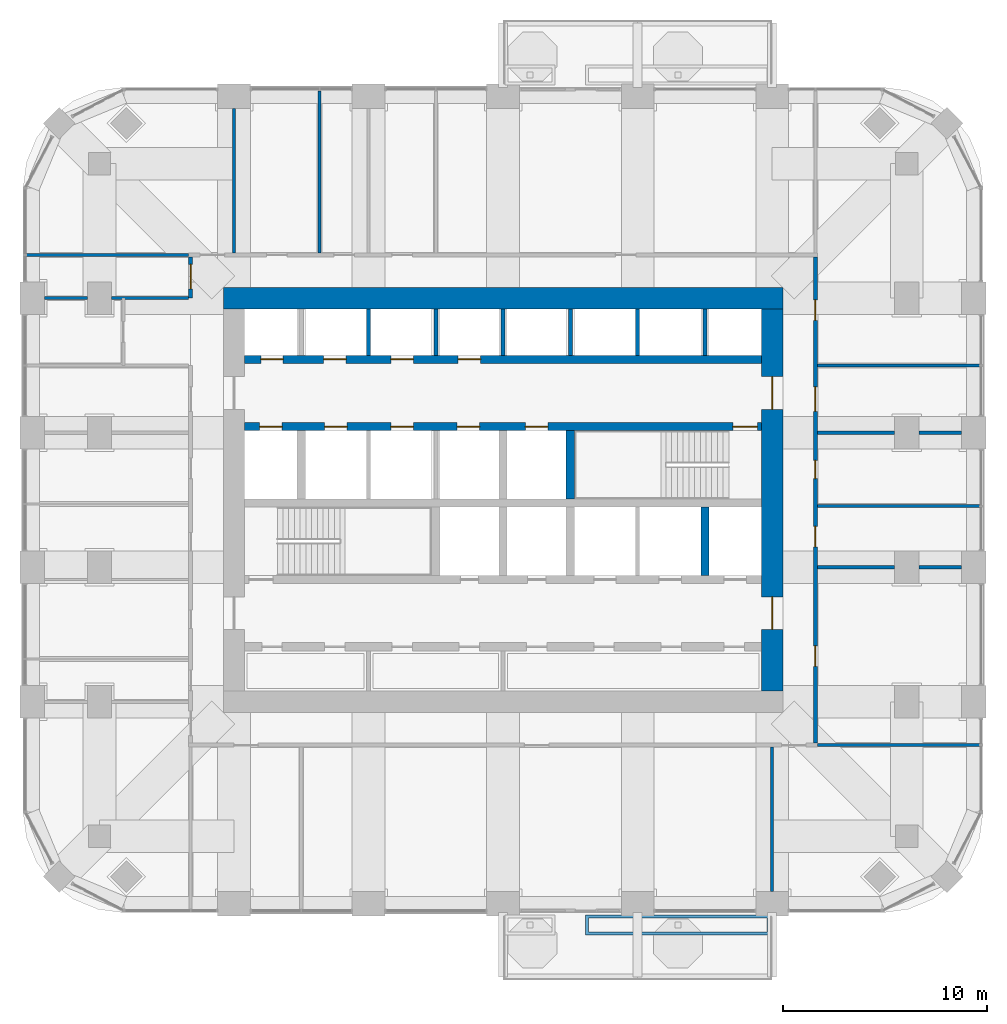
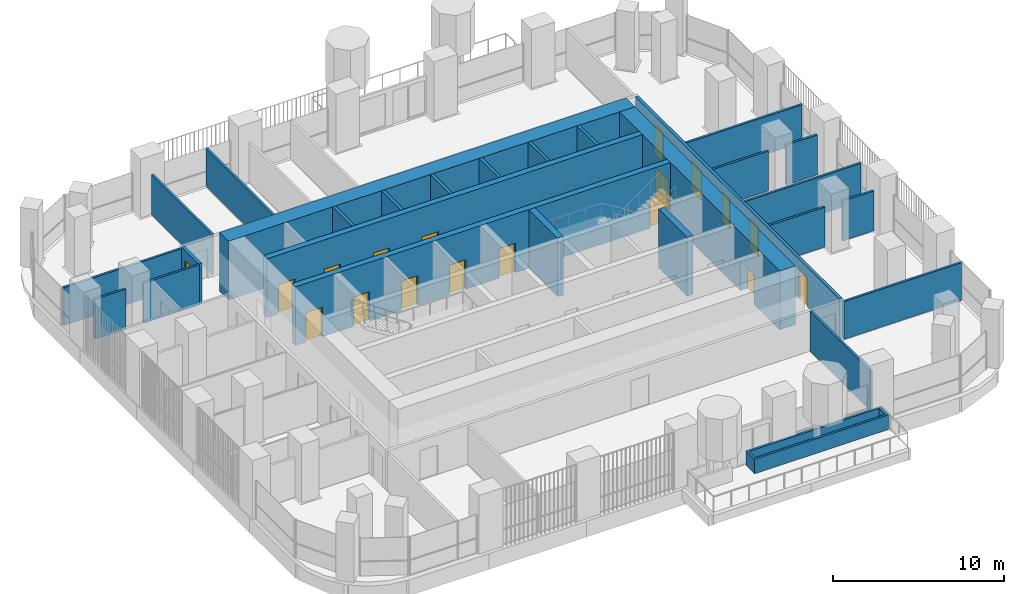
# One storey, part 14 of 19: 28 walls, 18 doors, 18 openings.
"""IFC4 building model written with IfcOpenShell, lengths in metres."""

from ifc_helpers import new_model, si_unit, direction, frame, frame_2d, origin, place, context, subcontext, project, spatial, polyline, rectangle, outline, extrude, material, layer, layer_set, type_object, element, fill, save


model = new_model("IFC4")

# Units and contexts
model_context = context("Model", 3, precision=1e-05, world=origin(), true_north=direction((0.0, 1.0)))
body_context = subcontext(model_context, "Body", "Model", "MODEL_VIEW")
ifc_project = project(units=[si_unit("LENGTHUNIT", "METRE"), si_unit("AREAUNIT", "SQUARE_METRE"), si_unit("VOLUMEUNIT", "CUBIC_METRE"), si_unit("PLANEANGLEUNIT", "RADIAN"), si_unit("MASSUNIT", "GRAM", prefix="KILO")], contexts=[model_context])

# Site, building, storey
site_placement = place(None, origin())
site = spatial("IfcSite", under=ifc_project, at=site_placement, CompositionType="ELEMENT")
building_placement = place(site_placement, origin())
building = spatial("IfcBuilding", under=site, at=building_placement, Name="Cobogo Forest Laboratory Tower", CompositionType="ELEMENT")
storey_placement = place(building_placement, frame((0.0, 0.0, 206.10009765625)))
storey = spatial("IfcBuildingStorey", under=building, at=storey_placement, Name="L47", CompositionType="ELEMENT", Elevation=206.10009765625)

# Wall, openings, doors
ifc_material_1 = material(Name="Concrete HA-50 (C50/60)", Category="concrete")
ifc_layer_1 = layer(ifc_material_1, 0.39990234375)
ifc_layer_set_1 = layer_set([ifc_layer_1], Name="CI400 core inner wall 400")
wall_type_1 = type_object("IfcWallType", Name="CI400 core inner wall 400", PredefinedType="SHEAR", material=ifc_layer_set_1)
wall_1_placement = place(storey_placement, frame((13.72509765625, 26.699951171875, 0.0), z_axis=(0.0, 0.0, 1.0), x_axis=(1.0, 0.0, 0.0)))
wall_1 = element("IfcWall", 1, at=wall_1_placement, inside=storey, type_object=wall_type_1, Name="Core wall CI-26.7 L47", PredefinedType="SHEAR", context=body_context, shape_type="SweptSolid", body=[
    extrude(rectangle(XDim=25.349853515625, YDim=0.39990234375, at=frame_2d((12.6748046875, 0.0))), origin(), (0.0, 0.0, 1.0), 4.199951171875),
])
opening_1_placement = place(wall_1_placement, frame((23.949951171875, 0.0, 0.0)))
opening_1 = element("IfcOpeningElement", 2, at=opening_1_placement, cuts=wall_1, Name="Opening L47-D26", PredefinedType="OPENING", context=body_context, shape_type="SweptSolid", body=[
    extrude(rectangle(XDim=1.199951171875, YDim=2.10009765625, at=frame_2d((0.60009765625, 1.050048828125))), frame((0.0, 0.2099609375, 0.0), z_axis=(0.0, -1.0, 0.0), x_axis=(1.0, 0.0, 0.0)), (0.0, 0.0, 1.0), 0.419921875),
])
opening_2_placement = place(wall_1_placement, frame((0.737548828125, 0.0, 0.0)))
opening_2 = element("IfcOpeningElement", 3, at=opening_2_placement, cuts=wall_1, Name="Opening L47-LD-FL1", PredefinedType="OPENING", context=body_context, shape_type="SweptSolid", body=[
    extrude(rectangle(XDim=1.10009765625, YDim=2.10009765625, at=frame_2d((0.550048828125, 1.050048828125))), frame((0.0, 0.2099609375, 0.0), z_axis=(0.0, -1.0, 0.0), x_axis=(1.0, 0.0, 0.0)), (0.0, 0.0, 1.0), 0.419921875),
])
opening_3_placement = place(wall_1_placement, frame((3.925048828125, 0.0, 0.0)))
opening_3 = element("IfcOpeningElement", 4, at=opening_3_placement, cuts=wall_1, Name="Opening L47-LD-LS3", PredefinedType="OPENING", context=body_context, shape_type="SweptSolid", body=[
    extrude(rectangle(XDim=1.10009765625, YDim=2.10009765625, at=frame_2d((0.550048828125, 1.050048828125))), frame((0.0, 0.2099609375, 0.0), z_axis=(0.0, -1.0, 0.0), x_axis=(1.0, 0.0, 0.0)), (0.0, 0.0, 1.0), 0.419921875),
])
opening_4_placement = place(wall_1_placement, frame((7.175048828125, 0.0, 0.0)))
opening_4 = element("IfcOpeningElement", 5, at=opening_4_placement, cuts=wall_1, Name="Opening L47-LD-LS4", PredefinedType="OPENING", context=body_context, shape_type="SweptSolid", body=[
    extrude(rectangle(XDim=1.10009765625, YDim=2.10009765625, at=frame_2d((0.550048828125, 1.050048828125))), frame((0.0, 0.2099609375, 0.0), z_axis=(0.0, -1.0, 0.0), x_axis=(1.0, 0.0, 0.0)), (0.0, 0.0, 1.0), 0.419921875),
])
opening_5_placement = place(wall_1_placement, frame((10.425048828125, 0.0, 0.0)))
opening_5 = element("IfcOpeningElement", 6, at=opening_5_placement, cuts=wall_1, Name="Opening L47-LD-LS5", PredefinedType="OPENING", context=body_context, shape_type="SweptSolid", body=[
    extrude(rectangle(XDim=1.10009765625, YDim=2.10009765625, at=frame_2d((0.550048828125, 1.050048828125))), frame((0.0, 0.2099609375, 0.0), z_axis=(0.0, -1.0, 0.0), x_axis=(1.0, 0.0, 0.0)), (0.0, 0.0, 1.0), 0.419921875),
])
opening_6_placement = place(wall_1_placement, frame((13.77490234375, 0.0, 0.0)))
opening_6 = element("IfcOpeningElement", 7, at=opening_6_placement, cuts=wall_1, Name="Opening L47-LD-LS6", PredefinedType="OPENING", context=body_context, shape_type="SweptSolid", body=[
    extrude(rectangle(XDim=1.10009765625, YDim=2.10009765625, at=frame_2d((0.550048828125, 1.050048828125))), frame((0.0, 0.2099609375, 0.0), z_axis=(0.0, -1.0, 0.0), x_axis=(1.0, 0.0, 0.0)), (0.0, 0.0, 1.0), 0.419921875),
])
ifc_material_2 = material(Name="Steel fire door", Category="steel")
door_type_1 = type_object("IfcDoorType", Name="DS1 protected stair door 1200 EI2 60", OperationType="SINGLE_SWING_LEFT", PredefinedType="DOOR", material=ifc_material_2)
door_1_placement = place(opening_1_placement, origin())
door_1 = element("IfcDoor", 8, at=door_1_placement, inside=storey, type_object=door_type_1, Name="Door L47-ST2", OperationType="SINGLE_SWING_RIGHT", OverallHeight=2.10009765625, OverallWidth=1.199951171875, PredefinedType="DOOR", context=body_context, shape_type="SweptSolid", body=[
    extrude(rectangle(XDim=1.199951171875, YDim=2.10009765625, at=frame_2d((0.60009765625, 1.050048828125))), frame((0.0, 0.02490234375, 0.0), z_axis=(0.0, -1.0, 0.0), x_axis=(1.0, 0.0, 0.0)), (0.0, 0.0, 1.0), 0.050048828125),
])
fill(opening_1, door_1)
ifc_material_3 = material(Name="Stainless steel lift door", Category="steel")
door_type_2 = type_object("IfcDoorType", Name="LD lift landing door 1100", OperationType="DOUBLE_DOOR_SLIDING", PredefinedType="DOOR", material=ifc_material_3)
door_2_placement = place(opening_2_placement, origin())
door_2 = element("IfcDoor", 9, at=door_2_placement, inside=storey, type_object=door_type_2, Name="Lift landing door FL1 L47", OperationType="DOUBLE_DOOR_SLIDING", OverallHeight=2.10009765625, OverallWidth=1.10009765625, PredefinedType="DOOR", context=body_context, shape_type="SweptSolid", body=[
    extrude(rectangle(XDim=1.10009765625, YDim=2.10009765625, at=frame_2d((0.550048828125, 1.050048828125))), frame((0.0, 0.02490234375, 0.0), z_axis=(0.0, -1.0, 0.0), x_axis=(1.0, 0.0, 0.0)), (0.0, 0.0, 1.0), 0.050048828125),
])
fill(opening_2, door_2)
door_3_placement = place(opening_3_placement, origin())
door_3 = element("IfcDoor", 10, at=door_3_placement, inside=storey, type_object=door_type_2, Name="Lift landing door LS3 L47", OperationType="DOUBLE_DOOR_SLIDING", OverallHeight=2.10009765625, OverallWidth=1.10009765625, PredefinedType="DOOR", context=body_context, shape_type="SweptSolid", body=[
    extrude(rectangle(XDim=1.10009765625, YDim=2.10009765625, at=frame_2d((0.550048828125, 1.050048828125))), frame((0.0, 0.02490234375, 0.0), z_axis=(0.0, -1.0, 0.0), x_axis=(1.0, 0.0, 0.0)), (0.0, 0.0, 1.0), 0.050048828125),
])
fill(opening_3, door_3)
door_4_placement = place(opening_4_placement, origin())
door_4 = element("IfcDoor", 11, at=door_4_placement, inside=storey, type_object=door_type_2, Name="Lift landing door LS4 L47", OperationType="DOUBLE_DOOR_SLIDING", OverallHeight=2.10009765625, OverallWidth=1.10009765625, PredefinedType="DOOR", context=body_context, shape_type="SweptSolid", body=[
    extrude(rectangle(XDim=1.10009765625, YDim=2.10009765625, at=frame_2d((0.550048828125, 1.050048828125))), frame((0.0, 0.02490234375, 0.0), z_axis=(0.0, -1.0, 0.0), x_axis=(1.0, 0.0, 0.0)), (0.0, 0.0, 1.0), 0.050048828125),
])
fill(opening_4, door_4)
door_5_placement = place(opening_5_placement, origin())
door_5 = element("IfcDoor", 12, at=door_5_placement, inside=storey, type_object=door_type_2, Name="Lift landing door LS5 L47", OperationType="DOUBLE_DOOR_SLIDING", OverallHeight=2.10009765625, OverallWidth=1.10009765625, PredefinedType="DOOR", context=body_context, shape_type="SweptSolid", body=[
    extrude(rectangle(XDim=1.10009765625, YDim=2.10009765625, at=frame_2d((0.550048828125, 1.050048828125))), frame((0.0, 0.02490234375, 0.0), z_axis=(0.0, -1.0, 0.0), x_axis=(1.0, 0.0, 0.0)), (0.0, 0.0, 1.0), 0.050048828125),
])
fill(opening_5, door_5)
door_6_placement = place(opening_6_placement, origin())
door_6 = element("IfcDoor", 13, at=door_6_placement, inside=storey, type_object=door_type_2, Name="Lift landing door LS6 L47", OperationType="DOUBLE_DOOR_SLIDING", OverallHeight=2.10009765625, OverallWidth=1.10009765625, PredefinedType="DOOR", context=body_context, shape_type="SweptSolid", body=[
    extrude(rectangle(XDim=1.10009765625, YDim=2.10009765625, at=frame_2d((0.550048828125, 1.050048828125))), frame((0.0, 0.02490234375, 0.0), z_axis=(0.0, -1.0, 0.0), x_axis=(1.0, 0.0, 0.0)), (0.0, 0.0, 1.0), 0.050048828125),
])
fill(opening_6, door_6)

wall_2_placement = place(storey_placement, frame((13.72509765625, 30.0, 0.0), z_axis=(0.0, 0.0, 1.0), x_axis=(1.0, 0.0, 0.0)))
wall_2 = element("IfcWall", 14, at=wall_2_placement, inside=storey, type_object=wall_type_1, Name="Core wall CI-30.0 L47", PredefinedType="SHEAR", context=body_context, shape_type="SweptSolid", body=[
    extrude(rectangle(XDim=25.349853515625, YDim=0.39990234375, at=frame_2d((12.6748046875, 0.0))), origin(), (0.0, 0.0, 1.0), 4.199951171875),
])
opening_7_placement = place(wall_2_placement, frame((0.78759765625, 0.0, 0.0)))
opening_7 = element("IfcOpeningElement", 15, at=opening_7_placement, cuts=wall_2, Name="Opening L47-LD-LC1", PredefinedType="OPENING", context=body_context, shape_type="SweptSolid", body=[
    extrude(rectangle(XDim=1.10009765625, YDim=2.10009765625, at=frame_2d((0.550048828125, 1.050048828125))), frame((0.0, 0.2099609375, 0.0), z_axis=(0.0, -1.0, 0.0), x_axis=(1.0, 0.0, 0.0)), (0.0, 0.0, 1.0), 0.419921875),
])
opening_8_placement = place(wall_2_placement, frame((3.875, 0.0, 0.0)))
opening_8 = element("IfcOpeningElement", 16, at=opening_8_placement, cuts=wall_2, Name="Opening L47-LD-LC2", PredefinedType="OPENING", context=body_context, shape_type="SweptSolid", body=[
    extrude(rectangle(XDim=1.10009765625, YDim=2.10009765625, at=frame_2d((0.550048828125, 1.050048828125))), frame((0.0, 0.2099609375, 0.0), z_axis=(0.0, -1.0, 0.0), x_axis=(1.0, 0.0, 0.0)), (0.0, 0.0, 1.0), 0.419921875),
])
opening_9_placement = place(wall_2_placement, frame((7.175048828125, 0.0, 0.0)))
opening_9 = element("IfcOpeningElement", 17, at=opening_9_placement, cuts=wall_2, Name="Opening L47-LD-LC3", PredefinedType="OPENING", context=body_context, shape_type="SweptSolid", body=[
    extrude(rectangle(XDim=1.10009765625, YDim=2.10009765625, at=frame_2d((0.550048828125, 1.050048828125))), frame((0.0, 0.2099609375, 0.0), z_axis=(0.0, -1.0, 0.0), x_axis=(1.0, 0.0, 0.0)), (0.0, 0.0, 1.0), 0.419921875),
])
opening_10_placement = place(wall_2_placement, frame((10.47509765625, 0.0, 0.0)))
opening_10 = element("IfcOpeningElement", 18, at=opening_10_placement, cuts=wall_2, Name="Opening L47-LD-LC4", PredefinedType="OPENING", context=body_context, shape_type="SweptSolid", body=[
    extrude(rectangle(XDim=1.10009765625, YDim=2.10009765625, at=frame_2d((0.550048828125, 1.050048828125))), frame((0.0, 0.2099609375, 0.0), z_axis=(0.0, -1.0, 0.0), x_axis=(1.0, 0.0, 0.0)), (0.0, 0.0, 1.0), 0.419921875),
])
door_7_placement = place(opening_7_placement, origin())
door_7 = element("IfcDoor", 19, at=door_7_placement, inside=storey, type_object=door_type_2, Name="Lift landing door LC1 L47", OperationType="DOUBLE_DOOR_SLIDING", OverallHeight=2.10009765625, OverallWidth=1.10009765625, PredefinedType="DOOR", context=body_context, shape_type="SweptSolid", body=[
    extrude(rectangle(XDim=1.10009765625, YDim=2.10009765625, at=frame_2d((0.550048828125, 1.050048828125))), frame((0.0, 0.02490234375, 0.0), z_axis=(0.0, -1.0, 0.0), x_axis=(1.0, 0.0, 0.0)), (0.0, 0.0, 1.0), 0.050048828125),
])
fill(opening_7, door_7)
door_8_placement = place(opening_8_placement, origin())
door_8 = element("IfcDoor", 20, at=door_8_placement, inside=storey, type_object=door_type_2, Name="Lift landing door LC2 L47", OperationType="DOUBLE_DOOR_SLIDING", OverallHeight=2.10009765625, OverallWidth=1.10009765625, PredefinedType="DOOR", context=body_context, shape_type="SweptSolid", body=[
    extrude(rectangle(XDim=1.10009765625, YDim=2.10009765625, at=frame_2d((0.550048828125, 1.050048828125))), frame((0.0, 0.02490234375, 0.0), z_axis=(0.0, -1.0, 0.0), x_axis=(1.0, 0.0, 0.0)), (0.0, 0.0, 1.0), 0.050048828125),
])
fill(opening_8, door_8)
door_9_placement = place(opening_9_placement, origin())
door_9 = element("IfcDoor", 21, at=door_9_placement, inside=storey, type_object=door_type_2, Name="Lift landing door LC3 L47", OperationType="DOUBLE_DOOR_SLIDING", OverallHeight=2.10009765625, OverallWidth=1.10009765625, PredefinedType="DOOR", context=body_context, shape_type="SweptSolid", body=[
    extrude(rectangle(XDim=1.10009765625, YDim=2.10009765625, at=frame_2d((0.550048828125, 1.050048828125))), frame((0.0, 0.02490234375, 0.0), z_axis=(0.0, -1.0, 0.0), x_axis=(1.0, 0.0, 0.0)), (0.0, 0.0, 1.0), 0.050048828125),
])
fill(opening_9, door_9)
door_10_placement = place(opening_10_placement, origin())
door_10 = element("IfcDoor", 22, at=door_10_placement, inside=storey, type_object=door_type_2, Name="Lift landing door LC4 L47", OperationType="DOUBLE_DOOR_SLIDING", OverallHeight=2.10009765625, OverallWidth=1.10009765625, PredefinedType="DOOR", context=body_context, shape_type="SweptSolid", body=[
    extrude(rectangle(XDim=1.10009765625, YDim=2.10009765625, at=frame_2d((0.550048828125, 1.050048828125))), frame((0.0, 0.02490234375, 0.0), z_axis=(0.0, -1.0, 0.0), x_axis=(1.0, 0.0, 0.0)), (0.0, 0.0, 1.0), 0.050048828125),
])
fill(opening_10, door_10)

# Walls
for number, where, z_axis, x_axis, name in (
    (23, (36.300048828125, 19.39990234375, 0.0), (0.0, 0.0, 1.0), (0.0, 1.0, 0.0), "Core wall CX-36.3 L47"),
    (24, (29.699951171875, 23.14990234375, 0.0), (0.0, 0.0, 1.0), (0.0, 1.0, 0.0), "Core wall CX-29.7N L47"),
):
    element("IfcWall", number, at=place(storey_placement, frame(where, z_axis=z_axis, x_axis=x_axis)), inside=storey, type_object=wall_type_1, Name=name, PredefinedType="SHEAR", context=body_context, shape_type="SweptSolid", body=[
        extrude(rectangle(XDim=3.35009765625, YDim=0.39990234375, at=frame_2d((1.675048828125, 0.0))), origin(), (0.0, 0.0, 1.0), 4.199951171875),
    ])

# Wall, openings, doors
ifc_layer_2 = layer(ifc_material_1, 1.050048828125)
ifc_layer_set_2 = layer_set([ifc_layer_2], Name="CW1050 core outer wall 1050")
wall_type_2 = type_object("IfcWallType", Name="CW1050 core outer wall 1050", PredefinedType="SHEAR", material=ifc_layer_set_2)
wall_3_placement = place(storey_placement, frame((39.60009765625, 13.72509765625, 0.0), z_axis=(0.0, 0.0, 1.0), x_axis=(0.0, 1.0, 0.0)))
wall_3 = element("IfcWall", 25, at=wall_3_placement, inside=storey, type_object=wall_type_2, Name="Core wall CO-E L47", PredefinedType="SHEAR", context=body_context, shape_type="SweptSolid", body=[
    extrude(rectangle(XDim=18.75, YDim=1.050048828125, at=frame_2d((9.375, 0.0))), origin(), (0.0, 0.0, 1.0), 4.199951171875),
])
opening_11_placement = place(wall_3_placement, frame((3.02490234375, 0.0, 0.0)))
opening_11 = element("IfcOpeningElement", 26, at=opening_11_placement, cuts=wall_3, Name="Opening L47-D18", PredefinedType="OPENING", context=body_context, shape_type="SweptSolid", body=[
    extrude(rectangle(XDim=1.60009765625, YDim=2.10009765625, at=frame_2d((0.800048828125, 1.050048828125))), frame((0.0, 0.534912109375, 0.0), z_axis=(0.0, -1.0, 0.0), x_axis=(1.0, 0.0, 0.0)), (0.0, 0.0, 1.0), 1.070068359375),
])
opening_12_placement = place(wall_3_placement, frame((13.824951171875, 0.0, 0.0)))
opening_12 = element("IfcOpeningElement", 27, at=opening_12_placement, cuts=wall_3, Name="Opening L47-D30", PredefinedType="OPENING", context=body_context, shape_type="SweptSolid", body=[
    extrude(rectangle(XDim=1.60009765625, YDim=2.10009765625, at=frame_2d((0.800048828125, 1.050048828125))), frame((0.0, 0.534912109375, 0.0), z_axis=(0.0, -1.0, 0.0), x_axis=(1.0, 0.0, 0.0)), (0.0, 0.0, 1.0), 1.070068359375),
])
door_type_3 = type_object("IfcDoorType", Name="DS2 protected lobby door pair 1600 EI2 60", OperationType="DOUBLE_DOOR_DOUBLE_SWING", PredefinedType="DOOR", material=ifc_material_2)
door_11_placement = place(opening_11_placement, origin())
door_11 = element("IfcDoor", 28, at=door_11_placement, inside=storey, type_object=door_type_3, Name="Door L47-CO-E-S", OperationType="DOUBLE_DOOR_DOUBLE_SWING", OverallHeight=2.10009765625, OverallWidth=1.60009765625, PredefinedType="DOOR", context=body_context, shape_type="SweptSolid", body=[
    extrude(rectangle(XDim=1.60009765625, YDim=2.10009765625, at=frame_2d((0.800048828125, 1.050048828125))), frame((0.0, 0.02490234375, 0.0), z_axis=(0.0, -1.0, 0.0), x_axis=(1.0, 0.0, 0.0)), (0.0, 0.0, 1.0), 0.050048828125),
])
fill(opening_11, door_11)
door_12_placement = place(opening_12_placement, origin())
door_12 = element("IfcDoor", 29, at=door_12_placement, inside=storey, type_object=door_type_3, Name="Door L47-CO-E-N", OperationType="DOUBLE_DOOR_DOUBLE_SWING", OverallHeight=2.10009765625, OverallWidth=1.60009765625, PredefinedType="DOOR", context=body_context, shape_type="SweptSolid", body=[
    extrude(rectangle(XDim=1.60009765625, YDim=2.10009765625, at=frame_2d((0.800048828125, 1.050048828125))), frame((0.0, 0.02490234375, 0.0), z_axis=(0.0, -1.0, 0.0), x_axis=(1.0, 0.0, 0.0)), (0.0, 0.0, 1.0), 0.050048828125),
])
fill(opening_12, door_12)

# Walls
wall_4_placement = place(storey_placement, frame((40.125, 33.0, 0.0), z_axis=(0.0, 0.0, 1.0), x_axis=(-1.0, 0.0, 0.0)))
element("IfcWall", 30, at=wall_4_placement, inside=storey, type_object=wall_type_2, Name="Core wall CO-N L47", PredefinedType="SHEAR", context=body_context, shape_type="SweptSolid", body=[
    extrude(rectangle(XDim=27.449951171875, YDim=1.050048828125, at=frame_2d((13.72509765625, 0.0))), origin(), (0.0, 0.0, 1.0), 4.199951171875),
])
ifc_material_4 = material(Name="Gypsum board on steel studs", Category="steel")
ifc_layer_3 = layer(ifc_material_4, 0.14990234375)
ifc_layer_set_3 = layer_set([ifc_layer_3], Name="PT1 laboratory partition 150")
wall_type_3 = type_object("IfcWallType", Name="PT1 laboratory partition 150", PredefinedType="PARTITIONING", material=ifc_layer_set_3)
for number, where, z_axis, x_axis, name in (
    (31, (49.77001953125, 11.074951171875, 0.0), (0.0, 0.0, 1.0), (-1.0, 0.0, 0.0), "Partition PW-SE L47"),
    (32, (3.030029296875, 35.125, 0.0), (0.0, 0.0, 1.0), (1.0, 0.0, 0.0), "Partition PW-NW L47"),
):
    element("IfcWall", number, at=place(storey_placement, frame(where, z_axis=z_axis, x_axis=x_axis)), inside=storey, type_object=wall_type_3, Name=name, PredefinedType="PARTITIONING", context=body_context, shape_type="SweptSolid", body=[
        extrude(rectangle(XDim=7.945068359375, YDim=0.14990234375, at=frame_2d((3.97265625, 0.0))), origin(), (0.0, 0.0, 1.0), 2.699951171875),
    ])
wall_5_placement = place(storey_placement, frame((39.60009765625, 3.89990234375, 0.0), z_axis=(0.0, 0.0, 1.0), x_axis=(0.0, 1.0, 0.0)))
element("IfcWall", 33, at=wall_5_placement, inside=storey, type_object=wall_type_3, Name="Partition CUT-S39.6-1 L47", PredefinedType="PARTITIONING", context=body_context, shape_type="SweptSolid", body=[
    extrude(rectangle(XDim=7.0751953125, YDim=0.14990234375, at=frame_2d((3.53759765625, 0.0))), origin(), (0.0, 0.0, 1.0), 2.849853515625),
])
wall_6_placement = place(storey_placement, frame((49.77001953125, 22.800048828125, 0.0), z_axis=(0.0, 0.0, 1.0), x_axis=(-1.0, 0.0, 0.0)))
element("IfcWall", 34, at=wall_6_placement, inside=storey, type_object=wall_type_3, Name="Partition SVC-E1-1 L47", PredefinedType="PARTITIONING", context=body_context, shape_type="SweptSolid", body=[
    extrude(rectangle(XDim=7.945068359375, YDim=0.14990234375, at=frame_2d((3.97265625, 0.0))), origin(), (0.0, 0.0, 1.0), 2.699951171875),
])
wall_7_placement = place(storey_placement, frame((48.89990234375, 26.39990234375, 0.0), z_axis=(0.0, 0.0, 1.0), x_axis=(-1.0, 0.0, 0.0)))
element("IfcWall", 35, at=wall_7_placement, inside=storey, type_object=wall_type_3, Name="Partition SVC-E2-1 L47", PredefinedType="PARTITIONING", context=body_context, shape_type="SweptSolid", body=[
    extrude(rectangle(XDim=2.099853515625, YDim=0.14990234375, at=frame_2d((1.0498046875, 0.0))), origin(), (0.0, 0.0, 1.0), 2.849853515625),
])
wall_8_placement = place(storey_placement, frame((45.60009765625, 26.39990234375, 0.0), z_axis=(0.0, 0.0, 1.0), x_axis=(-1.0, 0.0, 0.0)))
element("IfcWall", 36, at=wall_8_placement, inside=storey, type_object=wall_type_3, Name="Partition SVC-E2-2 L47", PredefinedType="PARTITIONING", context=body_context, shape_type="SweptSolid", body=[
    extrude(rectangle(XDim=3.775146484375, YDim=0.14990234375, at=frame_2d((1.8876953125, 0.0))), origin(), (0.0, 0.0, 1.0), 2.849853515625),
])
wall_9_placement = place(storey_placement, frame((48.89990234375, 19.800048828125, 0.0), z_axis=(0.0, 0.0, 1.0), x_axis=(-1.0, 0.0, 0.0)))
element("IfcWall", 37, at=wall_9_placement, inside=storey, type_object=wall_type_3, Name="Partition CUT-E19.8-1 L47", PredefinedType="PARTITIONING", context=body_context, shape_type="SweptSolid", body=[
    extrude(rectangle(XDim=2.099853515625, YDim=0.14990234375, at=frame_2d((1.0498046875, 0.0))), origin(), (0.0, 0.0, 1.0), 2.849853515625),
])
wall_10_placement = place(storey_placement, frame((45.60009765625, 19.800048828125, 0.0), z_axis=(0.0, 0.0, 1.0), x_axis=(-1.0, 0.0, 0.0)))
element("IfcWall", 38, at=wall_10_placement, inside=storey, type_object=wall_type_3, Name="Partition CUT-E19.8-2 L47", PredefinedType="PARTITIONING", context=body_context, shape_type="SweptSolid", body=[
    extrude(rectangle(XDim=3.775146484375, YDim=0.14990234375, at=frame_2d((1.8876953125, 0.0))), origin(), (0.0, 0.0, 1.0), 2.849853515625),
])
wall_11_placement = place(storey_placement, frame((49.77001953125, 29.699951171875, 0.0), z_axis=(0.0, 0.0, 1.0), x_axis=(-1.0, 0.0, 0.0)))
element("IfcWall", 39, at=wall_11_placement, inside=storey, type_object=wall_type_3, Name="Partition CUT-E29.7-1 L47", PredefinedType="PARTITIONING", context=body_context, shape_type="SweptSolid", body=[
    extrude(rectangle(XDim=7.945068359375, YDim=0.14990234375, at=frame_2d((3.97265625, 0.0))), origin(), (0.0, 0.0, 1.0), 2.699951171875),
])
wall_12_placement = place(storey_placement, frame((17.39990234375, 43.169921875, 0.0), z_axis=(0.0, 0.0, 1.0), x_axis=(0.0, -1.0, 0.0)))
element("IfcWall", 40, at=wall_12_placement, inside=storey, type_object=wall_type_3, Name="Partition SVC-N1-1 L47", PredefinedType="PARTITIONING", context=body_context, shape_type="SweptSolid", body=[
    extrude(rectangle(XDim=7.94482421875, YDim=0.14990234375, at=frame_2d((3.972412109375, 0.0))), origin(), (0.0, 0.0, 1.0), 2.699951171875),
])
wall_13_placement = place(storey_placement, frame((13.199951171875, 42.300048828125, 0.0), z_axis=(0.0, 0.0, 1.0), x_axis=(0.0, -1.0, 0.0)))
element("IfcWall", 41, at=wall_13_placement, inside=storey, type_object=wall_type_3, Name="Partition CUT-N13.2-1 L47", PredefinedType="PARTITIONING", context=body_context, shape_type="SweptSolid", body=[
    extrude(rectangle(XDim=7.074951171875, YDim=0.14990234375, at=frame_2d((3.53759765625, 0.0))), origin(), (0.0, 0.0, 1.0), 2.849853515625),
])
wall_14_placement = place(storey_placement, frame((3.89990234375, 33.0, 0.0), z_axis=(0.0, 0.0, 1.0), x_axis=(1.0, 0.0, 0.0)))
element("IfcWall", 42, at=wall_14_placement, inside=storey, type_object=wall_type_3, Name="Partition CUT-W33-1 L47", PredefinedType="PARTITIONING", context=body_context, shape_type="SweptSolid", body=[
    extrude(rectangle(XDim=2.10009765625, YDim=0.14990234375, at=frame_2d((1.050048828125, 0.0))), origin(), (0.0, 0.0, 1.0), 2.849853515625),
])
wall_15_placement = place(storey_placement, frame((7.199951171875, 33.0, 0.0), z_axis=(0.0, 0.0, 1.0), x_axis=(1.0, 0.0, 0.0)))
element("IfcWall", 43, at=wall_15_placement, inside=storey, type_object=wall_type_3, Name="Partition CUT-W33-2 L47", PredefinedType="PARTITIONING", context=body_context, shape_type="SweptSolid", body=[
    extrude(rectangle(XDim=3.775146484375, YDim=0.14990234375, at=frame_2d((1.8876953125, 0.0))), origin(), (0.0, 0.0, 1.0), 2.849853515625),
])

# Wall, opening, door
ifc_layer_4 = layer(ifc_material_4, 0.199951171875)
ifc_layer_set_4 = layer_set([ifc_layer_4], Name="PT2 fire-rated corridor partition 200")
wall_type_4 = type_object("IfcWallType", Name="PT2 fire-rated corridor partition 200", PredefinedType="PARTITIONING", material=ifc_layer_set_4)
wall_16_placement = place(storey_placement, frame((11.074951171875, 33.0, 0.0), z_axis=(0.0, 0.0, 1.0), x_axis=(0.0, 1.0, 0.0)))
wall_16 = element("IfcWall", 44, at=wall_16_placement, inside=storey, type_object=wall_type_4, Name="Partition CORR-W-2 L47", PredefinedType="PARTITIONING", context=body_context, shape_type="SweptSolid", body=[
    extrude(rectangle(XDim=2.02490234375, YDim=0.199951171875, at=frame_2d((1.012451171875, 0.0))), origin(), (0.0, 0.0, 1.0), 2.849853515625),
])
opening_13_placement = place(wall_16_placement, frame((0.46240234375, 0.0, 0.0)))
opening_13 = element("IfcOpeningElement", 45, at=opening_13_placement, cuts=wall_16, Name="Opening L47-D33", PredefinedType="OPENING", context=body_context, shape_type="SweptSolid", body=[
    extrude(rectangle(XDim=1.199951171875, YDim=2.10009765625, at=frame_2d((0.60009765625, 1.050048828125))), frame((0.0, 0.10986328125, 0.0), z_axis=(0.0, -1.0, 0.0), x_axis=(1.0, 0.0, 0.0)), (0.0, 0.0, 1.0), 0.219970703125),
])
ifc_material_5 = material(Name="Timber door", Category="wood")
door_type_4 = type_object("IfcDoorType", Name="D2 laboratory door 1200 unequal pair", OperationType="DOUBLE_DOOR_SINGLE_SWING", PredefinedType="DOOR", material=ifc_material_5)
door_13_placement = place(opening_13_placement, origin())
door_13 = element("IfcDoor", 46, at=door_13_placement, inside=storey, type_object=door_type_4, Name="Door L47-W5", OperationType="DOUBLE_DOOR_SINGLE_SWING", OverallHeight=2.10009765625, OverallWidth=1.199951171875, PredefinedType="DOOR", context=body_context, shape_type="SweptSolid", body=[
    extrude(rectangle(XDim=1.199951171875, YDim=2.10009765625, at=frame_2d((0.60009765625, 1.050048828125))), frame((0.0, 0.02490234375, 0.0), z_axis=(0.0, -1.0, 0.0), x_axis=(1.0, 0.0, 0.0)), (0.0, 0.0, 1.0), 0.050048828125),
])
fill(opening_13, door_13)

# Wall, openings, doors
wall_17_placement = place(storey_placement, frame((41.72509765625, 11.175048828125, 0.0), z_axis=(0.0, 0.0, 1.0), x_axis=(0.0, 1.0, 0.0)))
wall_17 = element("IfcWall", 47, at=wall_17_placement, inside=storey, type_object=wall_type_4, Name="Partition CORR-E L47", PredefinedType="PARTITIONING", context=body_context, shape_type="SweptSolid", body=[
    extrude(rectangle(XDim=23.849853515625, YDim=0.199951171875, at=frame_2d((11.9248046875, 0.0))), origin(), (0.0, 0.0, 1.0), 2.849853515625),
])
opening_14_placement = place(wall_17_placement, frame((3.762451171875, 0.0, 0.0)))
opening_14 = element("IfcOpeningElement", 48, at=opening_14_placement, cuts=wall_17, Name="Opening L47-D07", PredefinedType="OPENING", context=body_context, shape_type="SweptSolid", body=[
    extrude(rectangle(XDim=1.0, YDim=2.10009765625, at=frame_2d((0.5, 1.050048828125))), frame((0.0, 0.10986328125, 0.0), z_axis=(0.0, -1.0, 0.0), x_axis=(1.0, 0.0, 0.0)), (0.0, 0.0, 1.0), 0.219970703125),
])
opening_15_placement = place(wall_17_placement, frame((9.625, 0.0, 0.0)))
opening_15 = element("IfcOpeningElement", 49, at=opening_15_placement, cuts=wall_17, Name="Opening L47-D23", PredefinedType="OPENING", context=body_context, shape_type="SweptSolid", body=[
    extrude(rectangle(XDim=1.0, YDim=2.10009765625, at=frame_2d((0.5, 1.050048828125))), frame((0.0, 0.10986328125, 0.0), z_axis=(0.0, -1.0, 0.0), x_axis=(1.0, 0.0, 0.0)), (0.0, 0.0, 1.0), 0.219970703125),
])
opening_16_placement = place(wall_17_placement, frame((12.97509765625, 0.0, 0.0)))
opening_16 = element("IfcOpeningElement", 50, at=opening_16_placement, cuts=wall_17, Name="Opening L47-D24", PredefinedType="OPENING", context=body_context, shape_type="SweptSolid", body=[
    extrude(rectangle(XDim=0.89990234375, YDim=2.10009765625, at=frame_2d((0.449951171875, 1.050048828125))), frame((0.0, 0.10986328125, 0.0), z_axis=(0.0, -1.0, 0.0), x_axis=(1.0, 0.0, 0.0)), (0.0, 0.0, 1.0), 0.219970703125),
])
opening_17_placement = place(wall_17_placement, frame((16.27490234375, 0.0, 0.0)))
opening_17 = element("IfcOpeningElement", 51, at=opening_17_placement, cuts=wall_17, Name="Opening L47-D28", PredefinedType="OPENING", context=body_context, shape_type="SweptSolid", body=[
    extrude(rectangle(XDim=1.199951171875, YDim=2.10009765625, at=frame_2d((0.60009765625, 1.050048828125))), frame((0.0, 0.10986328125, 0.0), z_axis=(0.0, -1.0, 0.0), x_axis=(1.0, 0.0, 0.0)), (0.0, 0.0, 1.0), 0.219970703125),
])
opening_18_placement = place(wall_17_placement, frame((20.737548828125, 0.0, 0.0)))
opening_18 = element("IfcOpeningElement", 52, at=opening_18_placement, cuts=wall_17, Name="Opening L47-D32", PredefinedType="OPENING", context=body_context, shape_type="SweptSolid", body=[
    extrude(rectangle(XDim=1.0, YDim=2.10009765625, at=frame_2d((0.5, 1.050048828125))), frame((0.0, 0.10986328125, 0.0), z_axis=(0.0, -1.0, 0.0), x_axis=(1.0, 0.0, 0.0)), (0.0, 0.0, 1.0), 0.219970703125),
])
door_14_placement = place(opening_17_placement, origin())
door_14 = element("IfcDoor", 53, at=door_14_placement, inside=storey, type_object=door_type_4, Name="Door L47-E2", OperationType="DOUBLE_DOOR_SINGLE_SWING", OverallHeight=2.10009765625, OverallWidth=1.199951171875, PredefinedType="DOOR", context=body_context, shape_type="SweptSolid", body=[
    extrude(rectangle(XDim=1.199951171875, YDim=2.10009765625, at=frame_2d((0.60009765625, 1.050048828125))), frame((0.0, 0.02490234375, 0.0), z_axis=(0.0, -1.0, 0.0), x_axis=(1.0, 0.0, 0.0)), (0.0, 0.0, 1.0), 0.050048828125),
])
fill(opening_17, door_14)
door_type_5 = type_object("IfcDoorType", Name="FD1 fire door 1000 EI2 60", OperationType="SINGLE_SWING_LEFT", PredefinedType="DOOR", material=ifc_material_2)
door_15_placement = place(opening_15_placement, origin())
door_15 = element("IfcDoor", 54, at=door_15_placement, inside=storey, type_object=door_type_5, Name="Door L47-ELEC", OperationType="SINGLE_SWING_LEFT", OverallHeight=2.10009765625, OverallWidth=1.0, PredefinedType="DOOR", context=body_context, shape_type="SweptSolid", body=[
    extrude(rectangle(XDim=1.0, YDim=2.10009765625, at=frame_2d((0.5, 1.050048828125))), frame((0.0, 0.02490234375, 0.0), z_axis=(0.0, -1.0, 0.0), x_axis=(1.0, 0.0, 0.0)), (0.0, 0.0, 1.0), 0.050048828125),
])
fill(opening_15, door_15)
ifc_material_6 = material(Name="Timber fire door", Category="wood")
door_type_6 = type_object("IfcDoorType", Name="FD2 fire door 1000 EI2 30", OperationType="SINGLE_SWING_LEFT", PredefinedType="DOOR", material=ifc_material_6)
door_16_placement = place(opening_14_placement, origin())
door_16 = element("IfcDoor", 55, at=door_16_placement, inside=storey, type_object=door_type_6, Name="Door L47-E1", OperationType="SINGLE_SWING_LEFT", OverallHeight=2.10009765625, OverallWidth=1.0, PredefinedType="DOOR", context=body_context, shape_type="SweptSolid", body=[
    extrude(rectangle(XDim=1.0, YDim=2.10009765625, at=frame_2d((0.5, 1.050048828125))), frame((0.0, 0.02490234375, 0.0), z_axis=(0.0, -1.0, 0.0), x_axis=(1.0, 0.0, 0.0)), (0.0, 0.0, 1.0), 0.050048828125),
])
fill(opening_14, door_16)
door_17_placement = place(opening_18_placement, origin())
door_17 = element("IfcDoor", 56, at=door_17_placement, inside=storey, type_object=door_type_6, Name="Door L47-E3", OperationType="SINGLE_SWING_RIGHT", OverallHeight=2.10009765625, OverallWidth=1.0, PredefinedType="DOOR", context=body_context, shape_type="SweptSolid", body=[
    extrude(rectangle(XDim=1.0, YDim=2.10009765625, at=frame_2d((0.5, 1.050048828125))), frame((0.0, 0.02490234375, 0.0), z_axis=(0.0, -1.0, 0.0), x_axis=(1.0, 0.0, 0.0)), (0.0, 0.0, 1.0), 0.050048828125),
])
fill(opening_18, door_17)
door_type_7 = type_object("IfcDoorType", Name="FD4 riser access door 900 EI2 60", OperationType="SINGLE_SWING_LEFT", PredefinedType="DOOR", material=ifc_material_2)
door_18_placement = place(opening_16_placement, origin())
door_18 = element("IfcDoor", 57, at=door_18_placement, inside=storey, type_object=door_type_7, Name="Door L47-COMMS", OperationType="SINGLE_SWING_RIGHT", OverallHeight=2.10009765625, OverallWidth=0.89990234375, PredefinedType="DOOR", context=body_context, shape_type="SweptSolid", body=[
    extrude(rectangle(XDim=0.89990234375, YDim=2.10009765625, at=frame_2d((0.449951171875, 1.050048828125))), frame((0.0, 0.02490234375, 0.0), z_axis=(0.0, -1.0, 0.0), x_axis=(1.0, 0.0, 0.0)), (0.0, 0.0, 1.0), 0.050048828125),
])
fill(opening_16, door_18)

# Walls
ifc_material_7 = material(Name="Concrete HA-40 (C40/50)", Category="concrete")
ifc_layer_5 = layer(ifc_material_7, 0.14990234375)
ifc_layer_set_5 = layer_set([ifc_layer_5], Name="Planter box 1000x1050")
wall_type_5 = type_object("IfcWallType", Name="Planter box 1000x1050", PredefinedType="USERDEFINED", material=ifc_layer_set_5)
wall_18_placement = place(storey_placement, origin())
element("IfcWall", 58, at=wall_18_placement, inside=storey, type_object=wall_type_5, Name="Planter BAL-S1-2 L47", ObjectType="PLANTER", PredefinedType="USERDEFINED", context=body_context, shape_type="SweptSolid", body=[
    extrude(outline(polyline([(30.449951171875, 1.75), (39.5, 1.75), (39.5, 2.75), (30.449951171875, 2.75), (30.449951171875, 1.75)]), holes=[polyline([(30.60009765625, 1.89990234375), (39.35009765625, 1.89990234375), (39.35009765625, 2.60009765625), (30.60009765625, 2.60009765625), (30.60009765625, 1.89990234375)])]), origin(), (0.0, 0.0, 1.0), 1.0498046875),
])
ifc_material_8 = material(Name="Concrete block", Category="concrete")
ifc_layer_6 = layer(ifc_material_8, 0.199951171875)
ifc_layer_set_6 = layer_set([ifc_layer_6], Name="SW200 lift shaft separator 200")
wall_type_6 = type_object("IfcWallType", Name="SW200 lift shaft separator 200", PredefinedType="PARTITIONING", material=ifc_layer_set_6)
for number, where, z_axis, x_axis, name in (
    (59, (19.800048828125, 30.199951171875, 0.0), (0.0, 0.0, 1.0), (0.0, 1.0, 0.0), "Core wall SEP-N2 L47"),
    (60, (23.10009765625, 30.199951171875, 0.0), (0.0, 0.0, 1.0), (0.0, 1.0, 0.0), "Core wall SEP-N3 L47"),
    (61, (26.39990234375, 30.199951171875, 0.0), (0.0, 0.0, 1.0), (0.0, 1.0, 0.0), "Core wall SEP-N4 L47"),
    (62, (29.699951171875, 30.199951171875, 0.0), (0.0, 0.0, 1.0), (0.0, 1.0, 0.0), "Core wall SEP-N5 L47"),
    (63, (33.0, 30.199951171875, 0.0), (0.0, 0.0, 1.0), (0.0, 1.0, 0.0), "Core wall SEP-N6 L47"),
    (64, (36.300048828125, 30.199951171875, 0.0), (0.0, 0.0, 1.0), (0.0, 1.0, 0.0), "Core wall SEP-N7 L47"),
):
    element("IfcWall", number, at=place(storey_placement, frame(where, z_axis=z_axis, x_axis=x_axis)), inside=storey, type_object=wall_type_6, Name=name, PredefinedType="PARTITIONING", context=body_context, shape_type="SweptSolid", body=[
        extrude(rectangle(XDim=2.275146484375, YDim=0.199951171875, at=frame_2d((1.1376953125, 0.0))), origin(), (0.0, 0.0, 1.0), 4.199951171875),
    ])

save(model, "model.ifc")
